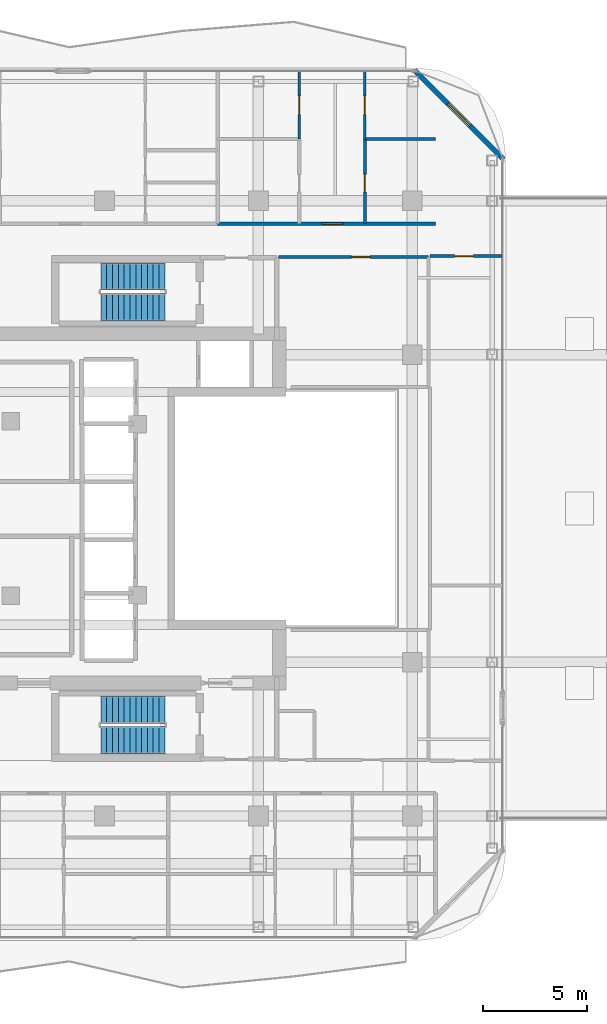
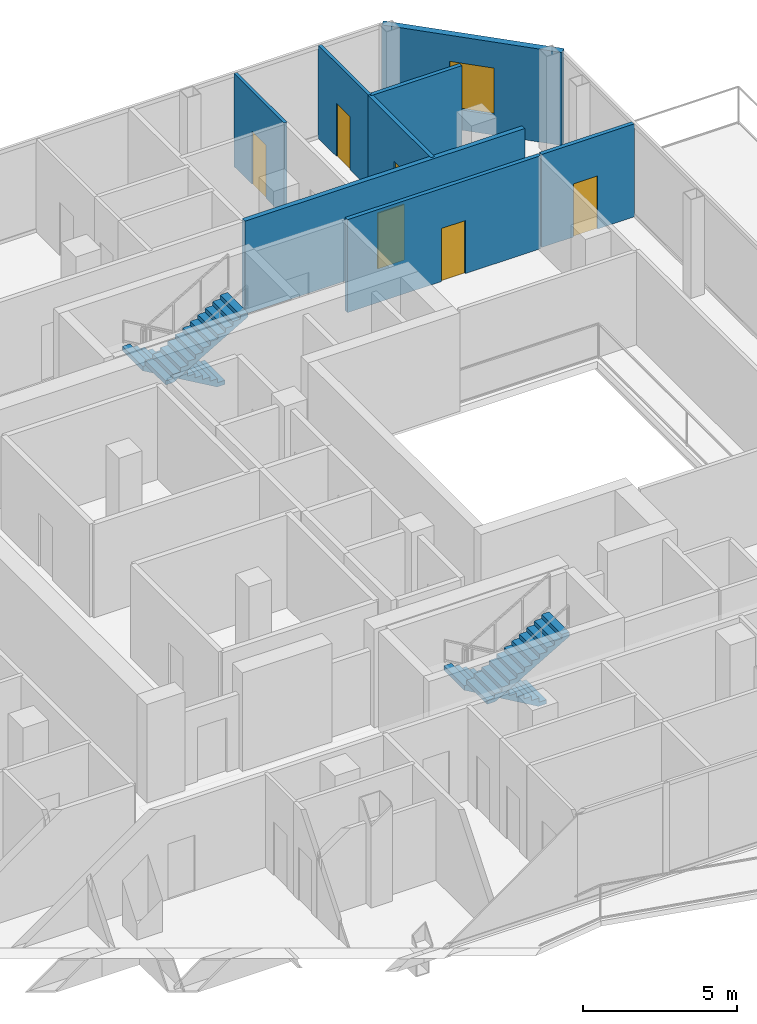
# One storey, part 21 of 24: 8 walls, 6 doors, 4 stair flights, 1 window, 7 openings, 2 elements without a shape of their own.
"""IFC4 building model written with IfcOpenShell, lengths in metres."""

from ifc_helpers import new_model, si_unit, direction, frame, frame_2d, origin, place, context, subcontext, project, spatial, polyline, rectangle, outline, extrude, material, layer, layer_set, type_object, element, fill, aggregate, save


model = new_model("IFC4")

# Units and contexts
model_context = context("Model", 3, precision=1e-05, world=origin(), true_north=direction((0.0, 1.0)))
body_context = subcontext(model_context, "Body", "Model", "MODEL_VIEW")
ifc_project = project(units=[si_unit("LENGTHUNIT", "METRE"), si_unit("AREAUNIT", "SQUARE_METRE"), si_unit("VOLUMEUNIT", "CUBIC_METRE"), si_unit("PLANEANGLEUNIT", "RADIAN"), si_unit("MASSUNIT", "GRAM", prefix="KILO")], contexts=[model_context])

# Site, building, storey
site_placement = place(None, origin())
site = spatial("IfcSite", under=ifc_project, at=site_placement, CompositionType="ELEMENT")
building_placement = place(site_placement, origin())
building = spatial("IfcBuilding", under=site, at=building_placement, Name="Khorvyn Point Tower", CompositionType="ELEMENT")
storey_placement = place(building_placement, frame((0.0, 0.0, 285.89990234375)))
storey = spatial("IfcBuildingStorey", under=building, at=storey_placement, Name="L70", CompositionType="ELEMENT", Elevation=285.89990234375)

# Wall, opening, door
ifc_material_1 = material(Name="Double acoustic gypsum on twin steel stud", Category="steel")
ifc_layer_1 = layer(ifc_material_1, 0.179931640625)
ifc_layer_set_1 = layer_set([ifc_layer_1], Name="Acoustic Double-Stud Apartment Demising Wall 180")
wall_type_1 = type_object("IfcWallType", Name="Acoustic Double-Stud Apartment Demising Wall 180", PredefinedType="PARTITIONING", material=ifc_layer_set_1)
wall_1_placement = place(storey_placement, frame((5.44189453125, 13.699951171875, 0.0), z_axis=(0.0, 0.0, 1.0), x_axis=(1.0, 0.0, 0.0)))
wall_1 = element("IfcWall", 1, at=wall_1_placement, inside=storey, type_object=wall_type_1, Name="Wall", PredefinedType="PARTITIONING", context=body_context, shape_type="SweptSolid", body=[
    extrude(rectangle(XDim=10.47802734375, YDim=0.179931640625, at=frame_2d((5.239013671875, 0.0))), origin(), (0.0, 0.0, 1.0), 3.68017578125),
])
opening_1_placement = place(wall_1_placement, frame((5.00830078125, 0.0, 0.0)))
opening_1 = element("IfcOpeningElement", 2, at=opening_1_placement, cuts=wall_1, Name="Opening ID-AP60", PredefinedType="OPENING", context=body_context, shape_type="SweptSolid", body=[
    extrude(rectangle(XDim=1.0, YDim=2.199951171875, at=frame_2d((0.5, 1.10009765625))), frame((0.0, 0.099853515625, 0.0), z_axis=(0.0, -1.0, 0.0), x_axis=(1.0, 0.0, 0.0)), (0.0, 0.0, 1.0), 0.199951171875),
])
ifc_material_2 = material(Name="Engineered hardwood fire-rated leaf", Category="wood")
door_type_1 = type_object("IfcDoorType", Name="Acoustic Solid-Core Timber Apartment Entrance Door 1000x2200", OperationType="NOTDEFINED", PredefinedType="DOOR", material=ifc_material_2)
door_1_placement = place(opening_1_placement, origin())
door_1 = element("IfcDoor", 3, at=door_1_placement, inside=storey, type_object=door_type_1, Name="Door", OperationType="SINGLE_SWING_LEFT", OverallHeight=2.199951171875, OverallWidth=1.0, PredefinedType="DOOR", context=body_context, shape_type="SweptSolid", body=[
    extrude(rectangle(XDim=1.0, YDim=2.199951171875, at=frame_2d((0.5, 1.10009765625))), frame((0.0, 0.02490234375, 0.0), z_axis=(0.0, -1.0, 0.0), x_axis=(1.0, 0.0, 0.0)), (0.0, 0.0, 1.0), 0.050048828125),
])
fill(opening_1, door_1)

# Wall, opening, window
ifc_material_3 = material(Name="Pale anodised aluminium rainscreen on steel stud", Category="steel")
ifc_layer_2 = layer(ifc_material_3, 0.239990234375)
ifc_layer_set_2 = layer_set([ifc_layer_2], Name="Anodised Aluminium Insulated Corner Spandrel Wall 240")
wall_type_2 = type_object("IfcWallType", Name="Anodised Aluminium Insulated Corner Spandrel Wall 240", PredefinedType="SOLIDWALL", material=ifc_layer_set_2)
wall_2_placement = place(storey_placement, frame((14.90771484375, 21.09228515625, 0.0), z_axis=(0.0, 0.0, 1.0), x_axis=(0.707106781187, -0.707106781187, 0.0)))
wall_2 = element("IfcWall", 4, at=wall_2_placement, inside=storey, type_object=wall_type_2, Name="L70 Rounded Corner Wall NE", PredefinedType="SOLIDWALL", context=body_context, shape_type="SweptSolid", body=[
    extrude(rectangle(XDim=6.059326171875, YDim=0.239990234375, at=frame_2d((3.02978515625, 0.0))), origin(), (0.0, 0.0, 1.0), 3.68017578125),
])
opening_2_placement = place(wall_2_placement, frame((2.27978515625, 0.0, 0.800048828125)))
opening_2 = element("IfcOpeningElement", 5, at=opening_2_placement, cuts=wall_2, Name="Opening WN-1518", PredefinedType="OPENING", context=body_context, shape_type="SweptSolid", body=[
    extrude(rectangle(XDim=1.5, YDim=1.85009765625, at=frame_2d((0.75, 0.925048828125))), frame((0.0, 0.1298828125, 0.0), z_axis=(0.0, -1.0, 0.0), x_axis=(1.0, 0.0, 0.0)), (0.0, 0.0, 1.0), 0.260009765625),
])
ifc_material_4 = material(Name="Anodised aluminium 6063-T6 and laminated Low-E glass", Category="aluminium")
window_type = type_object("IfcWindowType", Name="Anodised Aluminium Rounded-Corner Panoramic Window 1500x1850", PartitioningType="SINGLE_PANEL", PredefinedType="WINDOW", material=ifc_material_4)
window_placement = place(opening_2_placement, origin())
window = element("IfcWindow", 6, at=window_placement, inside=storey, type_object=window_type, Name="L70 Corner Panoramic Window NE", OverallHeight=1.85009765625, OverallWidth=1.5, PartitioningType="SINGLE_PANEL", PredefinedType="WINDOW", context=body_context, shape_type="SweptSolid", body=[
    extrude(rectangle(XDim=1.5, YDim=1.85009765625, at=frame_2d((0.75, 0.925048828125))), frame((0.0, 0.030029296875, 0.0), z_axis=(0.0, -1.0, 0.0), x_axis=(1.0, 0.0, 0.0)), (0.0, 0.0, 1.0), 0.06005859375),
])
fill(opening_2, window)

# Wall, opening, door
ifc_material_5 = material(Name="Gypsum plasterboard on steel stud", Category="steel")
ifc_layer_3 = layer(ifc_material_5, 0.1201171875)
ifc_layer_set_3 = layer_set([ifc_layer_3], Name="Gypsum Acoustic Stud Room Partition Wall 120")
wall_type_3 = type_object("IfcWallType", Name="Gypsum Acoustic Stud Room Partition Wall 120", PredefinedType="PARTITIONING", material=ifc_layer_set_3)
wall_3_placement = place(storey_placement, frame((9.366943359375, 17.781005859375, 0.0), z_axis=(0.0, 0.0, 1.0), x_axis=(0.0, 1.0, 0.0)))
wall_3 = element("IfcWall", 7, at=wall_3_placement, inside=storey, type_object=wall_type_3, Name="Wall", PredefinedType="PARTITIONING", context=body_context, shape_type="SweptSolid", body=[
    extrude(rectangle(XDim=3.2490234375, YDim=0.1201171875, at=frame_2d((1.62451171875, 0.0))), origin(), (0.0, 0.0, 1.0), 3.68017578125),
])
opening_3_placement = place(wall_3_placement, frame((1.174560546875, 0.0, 0.0)))
opening_3 = element("IfcOpeningElement", 8, at=opening_3_placement, cuts=wall_3, Name="Opening ID-RM90", PredefinedType="OPENING", context=body_context, shape_type="SweptSolid", body=[
    extrude(rectangle(XDim=0.89990234375, YDim=2.10009765625, at=frame_2d((0.449951171875, 1.050048828125))), frame((0.0, 0.070068359375, 0.0), z_axis=(0.0, -1.0, 0.0), x_axis=(1.0, 0.0, 0.0)), (0.0, 0.0, 1.0), 0.14013671875),
])
ifc_material_6 = material(Name="Engineered oak veneer timber", Category="wood")
door_type_2 = type_object("IfcDoorType", Name="Flush Engineered Timber Room Door 900x2100", OperationType="NOTDEFINED", PredefinedType="DOOR", material=ifc_material_6)
door_2_placement = place(opening_3_placement, origin())
door_2 = element("IfcDoor", 9, at=door_2_placement, inside=storey, type_object=door_type_2, Name="Door", OperationType="SINGLE_SWING_LEFT", OverallHeight=2.10009765625, OverallWidth=0.89990234375, PredefinedType="DOOR", context=body_context, shape_type="SweptSolid", body=[
    extrude(rectangle(XDim=0.89990234375, YDim=2.10009765625, at=frame_2d((0.449951171875, 1.050048828125))), frame((0.0, 0.02490234375, 0.0), z_axis=(0.0, -1.0, 0.0), x_axis=(1.0, 0.0, 0.0)), (0.0, 0.0, 1.0), 0.050048828125),
])
fill(opening_3, door_2)

wall_4_placement = place(storey_placement, frame((12.527099609375, 17.781005859375, 0.0), z_axis=(0.0, 0.0, 1.0), x_axis=(0.0, 1.0, 0.0)))
wall_4 = element("IfcWall", 10, at=wall_4_placement, inside=storey, type_object=wall_type_3, Name="Wall", PredefinedType="PARTITIONING", context=body_context, shape_type="SweptSolid", body=[
    extrude(rectangle(XDim=3.2490234375, YDim=0.1201171875, at=frame_2d((1.62451171875, 0.0))), origin(), (0.0, 0.0, 1.0), 3.68017578125),
])
opening_4_placement = place(wall_4_placement, frame((1.174560546875, 0.0, 0.0)))
opening_4 = element("IfcOpeningElement", 11, at=opening_4_placement, cuts=wall_4, Name="Opening ID-RM90", PredefinedType="OPENING", context=body_context, shape_type="SweptSolid", body=[
    extrude(rectangle(XDim=0.89990234375, YDim=2.10009765625, at=frame_2d((0.449951171875, 1.050048828125))), frame((0.0, 0.070068359375, 0.0), z_axis=(0.0, -1.0, 0.0), x_axis=(1.0, 0.0, 0.0)), (0.0, 0.0, 1.0), 0.14013671875),
])
door_3_placement = place(opening_4_placement, origin())
door_3 = element("IfcDoor", 12, at=door_3_placement, inside=storey, type_object=door_type_2, Name="Door", OperationType="SINGLE_SWING_LEFT", OverallHeight=2.10009765625, OverallWidth=0.89990234375, PredefinedType="DOOR", context=body_context, shape_type="SweptSolid", body=[
    extrude(rectangle(XDim=0.89990234375, YDim=2.10009765625, at=frame_2d((0.449951171875, 1.050048828125))), frame((0.0, 0.02490234375, 0.0), z_axis=(0.0, -1.0, 0.0), x_axis=(1.0, 0.0, 0.0)), (0.0, 0.0, 1.0), 0.050048828125),
])
fill(opening_4, door_3)

ifc_material_7 = material(Name="Moisture-resistant gypsum and cement board", Category="gypsum")
ifc_layer_4 = layer(ifc_material_7, 0.14990234375)
ifc_layer_set_4 = layer_set([ifc_layer_4], Name="Moisture-Resistant Wet-Room Partition Wall 150")
wall_type_4 = type_object("IfcWallType", Name="Moisture-Resistant Wet-Room Partition Wall 150", PredefinedType="PARTITIONING", material=ifc_layer_set_4)
wall_5_placement = place(storey_placement, frame((8.360107421875, 12.10009765625, 0.0), z_axis=(0.0, 0.0, 1.0), x_axis=(1.0, 0.0, 0.0)))
wall_5 = element("IfcWall", 13, at=wall_5_placement, inside=storey, type_object=wall_type_4, Name="Wall", PredefinedType="PARTITIONING", context=body_context, shape_type="SweptSolid", body=[
    extrude(rectangle(XDim=7.219970703125, YDim=0.14990234375, at=frame_2d((3.60986328125, 0.0))), origin(), (0.0, 0.0, 1.0), 3.68017578125),
])
opening_5_placement = place(wall_5_placement, frame((3.512939453125, 0.0, 0.0)))
opening_5 = element("IfcOpeningElement", 14, at=opening_5_placement, cuts=wall_5, Name="Opening ID-RM90", PredefinedType="OPENING", context=body_context, shape_type="SweptSolid", body=[
    extrude(rectangle(XDim=0.89990234375, YDim=2.10009765625, at=frame_2d((0.449951171875, 1.050048828125))), frame((0.0, 0.0849609375, 0.0), z_axis=(0.0, -1.0, 0.0), x_axis=(1.0, 0.0, 0.0)), (0.0, 0.0, 1.0), 0.169921875),
])
door_4_placement = place(opening_5_placement, origin())
door_4 = element("IfcDoor", 15, at=door_4_placement, inside=storey, type_object=door_type_2, Name="Door", OperationType="SINGLE_SWING_RIGHT", OverallHeight=2.10009765625, OverallWidth=0.89990234375, PredefinedType="DOOR", context=body_context, shape_type="SweptSolid", body=[
    extrude(rectangle(XDim=0.89990234375, YDim=2.10009765625, at=frame_2d((0.449951171875, 1.050048828125))), frame((0.0, 0.02490234375, 0.0), z_axis=(0.0, -1.0, 0.0), x_axis=(1.0, 0.0, 0.0)), (0.0, 0.0, 1.0), 0.050048828125),
])
fill(opening_5, door_4)

wall_6_placement = place(storey_placement, frame((12.527099609375, 13.699951171875, 0.0), z_axis=(0.0, 0.0, 1.0), x_axis=(0.0, 1.0, 0.0)))
wall_6 = element("IfcWall", 16, at=wall_6_placement, inside=storey, type_object=wall_type_4, Name="Wall", PredefinedType="PARTITIONING", context=body_context, shape_type="SweptSolid", body=[
    extrude(rectangle(XDim=4.0810546875, YDim=0.14990234375, at=frame_2d((2.04052734375, 0.0))), origin(), (0.0, 0.0, 1.0), 3.68017578125),
])
opening_6_placement = place(wall_6_placement, frame((1.52978515625, 0.0, 0.0)))
opening_6 = element("IfcOpeningElement", 17, at=opening_6_placement, cuts=wall_6, Name="Opening ID-WC85", PredefinedType="OPENING", context=body_context, shape_type="SweptSolid", body=[
    extrude(rectangle(XDim=0.85009765625, YDim=2.10009765625, at=frame_2d((0.425048828125, 1.050048828125))), frame((0.0, 0.0849609375, 0.0), z_axis=(0.0, -1.0, 0.0), x_axis=(1.0, 0.0, 0.0)), (0.0, 0.0, 1.0), 0.169921875),
])
ifc_material_8 = material(Name="High-pressure laminate on moisture-resistant core", Category="wood")
door_type_3 = type_object("IfcDoorType", Name="Moisture-Resistant Accessible Washroom Door 850x2100", OperationType="NOTDEFINED", PredefinedType="DOOR", material=ifc_material_8)
door_5_placement = place(opening_6_placement, origin())
door_5 = element("IfcDoor", 18, at=door_5_placement, inside=storey, type_object=door_type_3, Name="Door", OperationType="SINGLE_SWING_RIGHT", OverallHeight=2.10009765625, OverallWidth=0.85009765625, PredefinedType="DOOR", context=body_context, shape_type="SweptSolid", body=[
    extrude(rectangle(XDim=0.85009765625, YDim=2.10009765625, at=frame_2d((0.425048828125, 1.050048828125))), frame((0.0, 0.02490234375, 0.0), z_axis=(0.0, -1.0, 0.0), x_axis=(1.0, 0.0, 0.0)), (0.0, 0.0, 1.0), 0.050048828125),
])
fill(opening_6, door_5)

wall_7_placement = place(storey_placement, frame((15.64990234375, 12.139892578125, 0.0), z_axis=(0.0, 0.0, 1.0), x_axis=(1.0, 0.0, 0.0)))
wall_7 = element("IfcWall", 19, at=wall_7_placement, inside=storey, type_object=wall_type_4, Name="Wall", PredefinedType="PARTITIONING", context=body_context, shape_type="SweptSolid", body=[
    extrude(rectangle(XDim=3.47021484375, YDim=0.14990234375, at=frame_2d((1.735107421875, 0.0))), origin(), (0.0, 0.0, 1.0), 3.68017578125),
])
opening_7_placement = place(wall_7_placement, frame((1.198486328125, 0.0, 0.0)))
opening_7 = element("IfcOpeningElement", 20, at=opening_7_placement, cuts=wall_7, Name="Opening ID-RM90", PredefinedType="OPENING", context=body_context, shape_type="SweptSolid", body=[
    extrude(rectangle(XDim=0.89990234375, YDim=2.10009765625, at=frame_2d((0.449951171875, 1.050048828125))), frame((0.0, 0.0849609375, 0.0), z_axis=(0.0, -1.0, 0.0), x_axis=(1.0, 0.0, 0.0)), (0.0, 0.0, 1.0), 0.169921875),
])
door_6_placement = place(opening_7_placement, origin())
door_6 = element("IfcDoor", 21, at=door_6_placement, inside=storey, type_object=door_type_2, Name="Door", OperationType="SINGLE_SWING_LEFT", OverallHeight=2.10009765625, OverallWidth=0.89990234375, PredefinedType="DOOR", context=body_context, shape_type="SweptSolid", body=[
    extrude(rectangle(XDim=0.89990234375, YDim=2.10009765625, at=frame_2d((0.449951171875, 1.050048828125))), frame((0.0, 0.02490234375, 0.0), z_axis=(0.0, -1.0, 0.0), x_axis=(1.0, 0.0, 0.0)), (0.0, 0.0, 1.0), 0.050048828125),
])
fill(opening_7, door_6)

# Wall
wall_8_placement = place(storey_placement, frame((12.527099609375, 17.781005859375, 0.0), z_axis=(0.0, 0.0, 1.0), x_axis=(1.0, 0.0, 0.0)))
element("IfcWall", 22, at=wall_8_placement, inside=storey, type_object=wall_type_4, Name="Wall", PredefinedType="PARTITIONING", context=body_context, shape_type="SweptSolid", body=[
    extrude(rectangle(XDim=3.392822265625, YDim=0.14990234375, at=frame_2d((1.6962890625, 0.0))), origin(), (0.0, 0.0, 1.0), 3.68017578125),
])

# Stair, stair flights
ifc_material_9 = material(Name="Concrete C40/50", Category="concrete")
stair_type = type_object("IfcStairType", Name="Tower Concrete C40/50 Dogleg Exit Stair", PredefinedType="HALF_TURN_STAIR", material=ifc_material_9)
stair_1_placement = place(storey_placement, origin())
stair_1 = element("IfcStair", 23, at=stair_1_placement, inside=storey, type_object=stair_type, Name="L70 Tower Smokeproof Exit Stair South", PredefinedType="HALF_TURN_STAIR")
stair_flight_type = type_object("IfcStairFlightType", Name="Tower Concrete C40/50 Stair Flight", PredefinedType="STRAIGHT", material=ifc_material_9)
stair_flight_1_placement = place(storey_placement, frame((2.89990234375, -9.679931640625, 0.0), z_axis=(0.0, 0.0, 1.0), x_axis=(-1.0, 0.0, 0.0)))
stair_flight_1 = element("IfcStairFlight", 24, at=stair_flight_1_placement, type_object=stair_flight_type, Name="ST-01 flight 1", NumberOfRisers=12, NumberOfTreads=11, PredefinedType="STRAIGHT", RiserHeight=0.1625, TreadLength=0.28, context=body_context, shape_type="SweptSolid", body=[
    extrude(outline(polyline([(0.0, 0.0), (0.0, 0.16259765625), (0.280029296875, 0.16259765625), (0.280029296875, 0.324951171875), (0.56005859375, 0.324951171875), (0.56005859375, 0.487548828125), (0.840087890625, 0.487548828125), (0.840087890625, 0.64990234375), (1.1201171875, 0.64990234375), (1.1201171875, 0.8125), (1.39990234375, 0.8125), (1.39990234375, 0.97509765625), (1.679931640625, 0.97509765625), (1.679931640625, 1.137451171875), (1.9599609375, 1.137451171875), (1.9599609375, 1.300048828125), (2.239990234375, 1.300048828125), (2.239990234375, 1.46240234375), (2.52001953125, 1.46240234375), (2.52001953125, 1.625), (2.800048828125, 1.625), (2.800048828125, 1.78759765625), (3.080078125, 1.78759765625), (3.080078125, 1.949951171875), (3.080078125, 1.6142578125), (0.298583984375, 0.0), (0.0, 0.0)])), frame((0.0, 0.66015625, 0.0), z_axis=(0.0, -1.0, 0.0), x_axis=(1.0, 0.0, 0.0)), (0.0, 0.0, 1.0), 1.320068359375),
])
stair_flight_2_placement = place(storey_placement, frame((-0.179931640625, -11.159912109375, 1.9501953125), z_axis=(0.0, 0.0, 1.0), x_axis=(1.0, 0.0, 0.0)))
stair_flight_2 = element("IfcStairFlight", 25, at=stair_flight_2_placement, type_object=stair_flight_type, Name="ST-01 flight 2", NumberOfRisers=12, NumberOfTreads=11, PredefinedType="STRAIGHT", RiserHeight=0.1625, TreadLength=0.28, context=body_context, shape_type="SweptSolid", body=[
    extrude(outline(polyline([(0.0, 0.0), (0.0, 0.16259765625), (0.280029296875, 0.16259765625), (0.280029296875, 0.324951171875), (0.56005859375, 0.324951171875), (0.56005859375, 0.487548828125), (0.840087890625, 0.487548828125), (0.840087890625, 0.64990234375), (1.1201171875, 0.64990234375), (1.1201171875, 0.8125), (1.39990234375, 0.8125), (1.39990234375, 0.97509765625), (1.679931640625, 0.97509765625), (1.679931640625, 1.137451171875), (1.9599609375, 1.137451171875), (1.9599609375, 1.300048828125), (2.239990234375, 1.300048828125), (2.239990234375, 1.46240234375), (2.52001953125, 1.46240234375), (2.52001953125, 1.625), (2.800048828125, 1.625), (2.800048828125, 1.78759765625), (3.080078125, 1.78759765625), (3.080078125, 1.949951171875), (3.080078125, 1.6142578125), (0.298583984375, 0.0), (0.0, 0.0)])), frame((0.0, 0.66015625, 0.0), z_axis=(0.0, -1.0, 0.0), x_axis=(1.0, 0.0, 0.0)), (0.0, 0.0, 1.0), 1.320068359375),
])
aggregate(stair_1, [stair_flight_1, stair_flight_2])

stair_2_placement = place(storey_placement, origin())
stair_2 = element("IfcStair", 26, at=stair_2_placement, inside=storey, type_object=stair_type, Name="L70 Tower Smokeproof Exit Stair North", PredefinedType="HALF_TURN_STAIR")
stair_flight_3_placement = place(storey_placement, frame((2.89990234375, 11.159912109375, 0.0), z_axis=(0.0, 0.0, 1.0), x_axis=(-1.0, 0.0, 0.0)))
stair_flight_3 = element("IfcStairFlight", 27, at=stair_flight_3_placement, type_object=stair_flight_type, Name="ST-02 flight 1", NumberOfRisers=12, NumberOfTreads=11, PredefinedType="STRAIGHT", RiserHeight=0.1625, TreadLength=0.28, context=body_context, shape_type="SweptSolid", body=[
    extrude(outline(polyline([(0.0, 0.0), (0.0, 0.16259765625), (0.280029296875, 0.16259765625), (0.280029296875, 0.324951171875), (0.56005859375, 0.324951171875), (0.56005859375, 0.487548828125), (0.840087890625, 0.487548828125), (0.840087890625, 0.64990234375), (1.1201171875, 0.64990234375), (1.1201171875, 0.8125), (1.39990234375, 0.8125), (1.39990234375, 0.97509765625), (1.679931640625, 0.97509765625), (1.679931640625, 1.137451171875), (1.9599609375, 1.137451171875), (1.9599609375, 1.300048828125), (2.239990234375, 1.300048828125), (2.239990234375, 1.46240234375), (2.52001953125, 1.46240234375), (2.52001953125, 1.625), (2.800048828125, 1.625), (2.800048828125, 1.78759765625), (3.080078125, 1.78759765625), (3.080078125, 1.949951171875), (3.080078125, 1.6142578125), (0.298583984375, 0.0), (0.0, 0.0)])), frame((0.0, 0.66015625, 0.0), z_axis=(0.0, -1.0, 0.0), x_axis=(1.0, 0.0, 0.0)), (0.0, 0.0, 1.0), 1.320068359375),
])
stair_flight_4_placement = place(storey_placement, frame((-0.179931640625, 9.679931640625, 1.9501953125), z_axis=(0.0, 0.0, 1.0), x_axis=(1.0, 0.0, 0.0)))
stair_flight_4 = element("IfcStairFlight", 28, at=stair_flight_4_placement, type_object=stair_flight_type, Name="ST-02 flight 2", NumberOfRisers=12, NumberOfTreads=11, PredefinedType="STRAIGHT", RiserHeight=0.1625, TreadLength=0.28, context=body_context, shape_type="SweptSolid", body=[
    extrude(outline(polyline([(0.0, 0.0), (0.0, 0.16259765625), (0.280029296875, 0.16259765625), (0.280029296875, 0.324951171875), (0.56005859375, 0.324951171875), (0.56005859375, 0.487548828125), (0.840087890625, 0.487548828125), (0.840087890625, 0.64990234375), (1.1201171875, 0.64990234375), (1.1201171875, 0.8125), (1.39990234375, 0.8125), (1.39990234375, 0.97509765625), (1.679931640625, 0.97509765625), (1.679931640625, 1.137451171875), (1.9599609375, 1.137451171875), (1.9599609375, 1.300048828125), (2.239990234375, 1.300048828125), (2.239990234375, 1.46240234375), (2.52001953125, 1.46240234375), (2.52001953125, 1.625), (2.800048828125, 1.625), (2.800048828125, 1.78759765625), (3.080078125, 1.78759765625), (3.080078125, 1.949951171875), (3.080078125, 1.6142578125), (0.298583984375, 0.0), (0.0, 0.0)])), frame((0.0, 0.66015625, 0.0), z_axis=(0.0, -1.0, 0.0), x_axis=(1.0, 0.0, 0.0)), (0.0, 0.0, 1.0), 1.320068359375),
])
aggregate(stair_2, [stair_flight_3, stair_flight_4])

save(model, "model.ifc")
